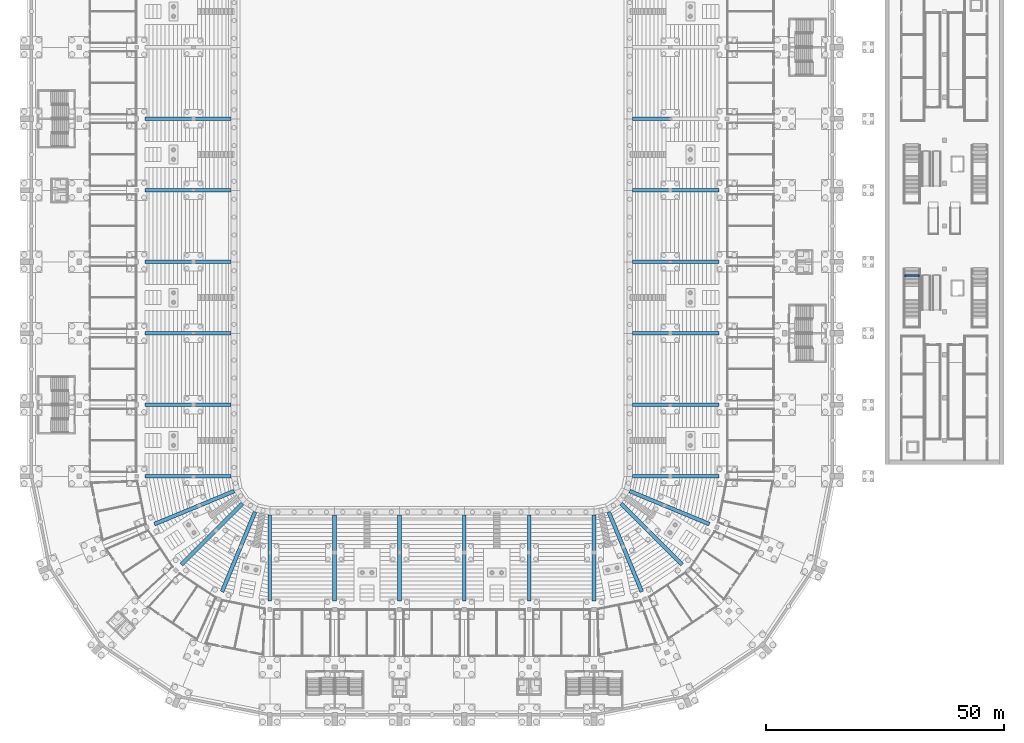
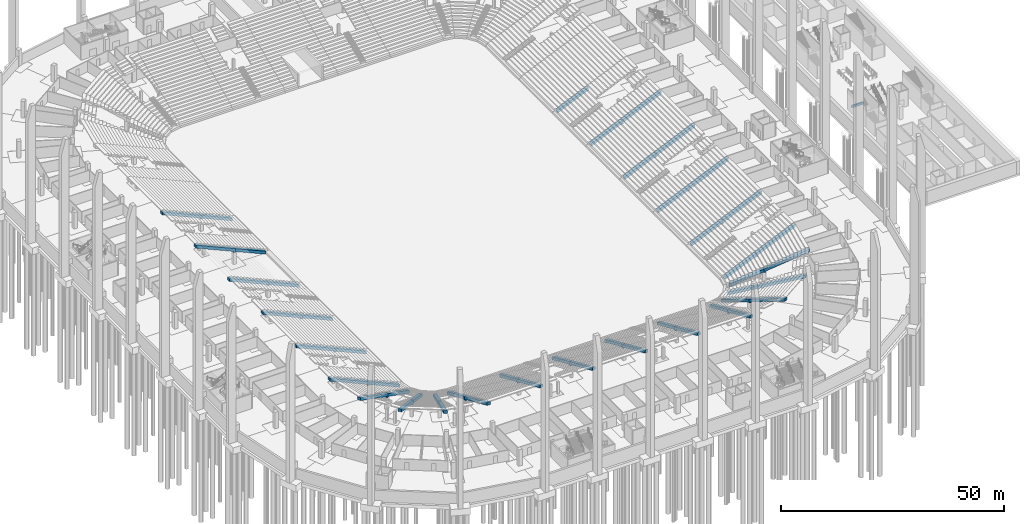
# One storey, part 14 of 115: 48 beams.
"""IFC4 building model written with IfcOpenShell, lengths in metres."""

from ifc_helpers import new_model, si_unit, direction, frame, origin, origin_2d, place, context, subcontext, project, spatial, polyline, rectangle, outline, extrude, material, material_profile, profile_set, type_object, element, save


model = new_model("IFC4")

# Units and contexts
model_context = context("Model", 3, precision=1e-05, world=origin(), true_north=direction((0.0, 1.0)))
body_context = subcontext(model_context, "Body", "Model", "MODEL_VIEW")
ifc_project = project(units=[si_unit("LENGTHUNIT", "METRE"), si_unit("AREAUNIT", "SQUARE_METRE"), si_unit("VOLUMEUNIT", "CUBIC_METRE"), si_unit("PLANEANGLEUNIT", "RADIAN"), si_unit("MASSUNIT", "GRAM", prefix="KILO")], contexts=[model_context])

# Site, building, storey
site_placement = place(None, origin())
site = spatial("IfcSite", under=ifc_project, at=site_placement, CompositionType="ELEMENT")
building_placement = place(site_placement, origin())
building = spatial("IfcBuilding", under=site, at=building_placement, Name="Ogive Plaza Stadium", CompositionType="ELEMENT")
storey_placement = place(building_placement, frame((0.0, 0.0, -4.5)))
storey = spatial("IfcBuildingStorey", under=building, at=storey_placement, Name="B1", CompositionType="ELEMENT", Elevation=-4.5)

# Beams
ifc_material_1 = material(Name="Concrete C45/55 precast", Category="concrete")
ifc_material_profile_1 = material_profile(ifc_material_1, rectangle(XDim=0.800048828125, YDim=0.800048828125, at=origin_2d()), Name="RC 800x800")
ifc_profile_set_1 = profile_set([ifc_material_profile_1], Name="Concrete C45/55 precast")
beam_type_1 = type_object("IfcBeamType", Name="Precast raker LT 800x800", PredefinedType="USERDEFINED", material=ifc_profile_set_1)
for number, where, z_axis, x_axis, name in (
    (1, (34.0, 22.5, 4.5), (0.0, 0.0, 1.0), (1.0, 0.0, 0.0), "RAKER LT R03"),
    (2, (34.0, 7.5, 4.5), (0.0, 0.0, 1.0), (1.0, 0.0, 0.0), "RAKER LT R04"),
):
    element("IfcBeam", number, at=place(storey_placement, frame(where, z_axis=z_axis, x_axis=x_axis)), inside=storey, type_object=beam_type_1, Name=name, ObjectType="RAKER", PredefinedType="USERDEFINED", context=body_context, shape_type="SweptSolid", body=[
        extrude(outline(polyline([(8.10009765625, -4.4853515625), (15.60009765625, -1.176513671875), (16.0, -1.176513671875), (16.0, -0.199951171875), (8.10009765625, -3.685302734375), (8.10009765625, -4.4853515625)])), frame((0.0, 0.39990234375, 0.0), z_axis=(0.0, -1.0, 0.0), x_axis=(1.0, 0.0, 0.0)), (0.0, 0.0, 1.0), 0.800048828125),
    ])
beam_1_placement = place(storey_placement, frame((34.0, 7.5, 4.5), z_axis=(0.0, 0.0, 1.0), x_axis=(1.0, 0.0, 0.0)))
element("IfcBeam", 3, at=beam_1_placement, inside=storey, type_object=beam_type_1, Name="RAKER LT BACK R04", ObjectType="RAKER", PredefinedType="USERDEFINED", context=body_context, shape_type="SweptSolid", body=[
    extrude(outline(polyline([(16.0, -1.176513671875), (16.39990234375, -1.176513671875), (16.39990234375, -0.823486328125), (26.199951171875, 3.5), (26.199951171875, 4.300048828125), (16.0, -0.199951171875), (16.0, -1.176513671875)])), frame((0.0, 0.39990234375, 0.0), z_axis=(0.0, -1.0, 0.0), x_axis=(1.0, 0.0, 0.0)), (0.0, 0.0, 1.0), 0.800048828125),
])
beam_2_placement = place(storey_placement, frame((34.0, -7.5, 4.5), z_axis=(0.0, 0.0, 1.0), x_axis=(1.0, 0.0, 0.0)))
element("IfcBeam", 4, at=beam_2_placement, inside=storey, type_object=beam_type_1, Name="RAKER LT R05", ObjectType="RAKER", PredefinedType="USERDEFINED", context=body_context, shape_type="SweptSolid", body=[
    extrude(outline(polyline([(8.10009765625, -4.4853515625), (15.60009765625, -1.176513671875), (16.0, -1.176513671875), (16.0, -0.199951171875), (8.10009765625, -3.685302734375), (8.10009765625, -4.4853515625)])), frame((0.0, 0.39990234375, 0.0), z_axis=(0.0, -1.0, 0.0), x_axis=(1.0, 0.0, 0.0)), (0.0, 0.0, 1.0), 0.800048828125),
])
beam_3_placement = place(storey_placement, frame((34.0, -7.5, 4.5), z_axis=(0.0, 0.0, 1.0), x_axis=(1.0, 0.0, 0.0)))
element("IfcBeam", 5, at=beam_3_placement, inside=storey, type_object=beam_type_1, Name="RAKER LT BACK R05", ObjectType="RAKER", PredefinedType="USERDEFINED", context=body_context, shape_type="SweptSolid", body=[
    extrude(outline(polyline([(16.0, -1.176513671875), (16.39990234375, -1.176513671875), (16.39990234375, -0.823486328125), (26.199951171875, 3.5), (26.199951171875, 4.300048828125), (16.0, -0.199951171875), (16.0, -1.176513671875)])), frame((0.0, 0.39990234375, 0.0), z_axis=(0.0, -1.0, 0.0), x_axis=(1.0, 0.0, 0.0)), (0.0, 0.0, 1.0), 0.800048828125),
])
beam_4_placement = place(storey_placement, frame((34.0, -22.5, 4.5), z_axis=(0.0, 0.0, 1.0), x_axis=(1.0, 0.0, 0.0)))
element("IfcBeam", 6, at=beam_4_placement, inside=storey, type_object=beam_type_1, Name="RAKER LT R06", ObjectType="RAKER", PredefinedType="USERDEFINED", context=body_context, shape_type="SweptSolid", body=[
    extrude(outline(polyline([(8.10009765625, -4.4853515625), (15.60009765625, -1.176513671875), (16.0, -1.176513671875), (16.0, -0.199951171875), (8.10009765625, -3.685302734375), (8.10009765625, -4.4853515625)])), frame((0.0, 0.39990234375, 0.0), z_axis=(0.0, -1.0, 0.0), x_axis=(1.0, 0.0, 0.0)), (0.0, 0.0, 1.0), 0.800048828125),
])
beam_5_placement = place(storey_placement, frame((34.0, -22.5, 4.5), z_axis=(0.0, 0.0, 1.0), x_axis=(1.0, 0.0, 0.0)))
element("IfcBeam", 7, at=beam_5_placement, inside=storey, type_object=beam_type_1, Name="RAKER LT BACK R06", ObjectType="RAKER", PredefinedType="USERDEFINED", context=body_context, shape_type="SweptSolid", body=[
    extrude(outline(polyline([(16.0, -1.176513671875), (16.39990234375, -1.176513671875), (16.39990234375, -0.823486328125), (26.199951171875, 3.5), (26.199951171875, 4.300048828125), (16.0, -0.199951171875), (16.0, -1.176513671875)])), frame((0.0, 0.39990234375, 0.0), z_axis=(0.0, -1.0, 0.0), x_axis=(1.0, 0.0, 0.0)), (0.0, 0.0, 1.0), 0.800048828125),
])
beam_6_placement = place(storey_placement, frame((34.0, -37.5, 4.5), z_axis=(0.0, 0.0, 1.0), x_axis=(1.0, 0.0, 0.0)))
element("IfcBeam", 8, at=beam_6_placement, inside=storey, type_object=beam_type_1, Name="RAKER LT R07", ObjectType="RAKER", PredefinedType="USERDEFINED", context=body_context, shape_type="SweptSolid", body=[
    extrude(outline(polyline([(8.10009765625, -4.4853515625), (15.60009765625, -1.176513671875), (16.0, -1.176513671875), (16.0, -0.199951171875), (8.10009765625, -3.685302734375), (8.10009765625, -4.4853515625)])), frame((0.0, 0.39990234375, 0.0), z_axis=(0.0, -1.0, 0.0), x_axis=(1.0, 0.0, 0.0)), (0.0, 0.0, 1.0), 0.800048828125),
])
beam_7_placement = place(storey_placement, frame((34.0, -37.5, 4.5), z_axis=(0.0, 0.0, 1.0), x_axis=(1.0, 0.0, 0.0)))
element("IfcBeam", 9, at=beam_7_placement, inside=storey, type_object=beam_type_1, Name="RAKER LT BACK R07", ObjectType="RAKER", PredefinedType="USERDEFINED", context=body_context, shape_type="SweptSolid", body=[
    extrude(outline(polyline([(16.0, -1.176513671875), (16.39990234375, -1.176513671875), (16.39990234375, -0.823486328125), (26.199951171875, 3.5), (26.199951171875, 4.300048828125), (16.0, -0.199951171875), (16.0, -1.176513671875)])), frame((0.0, 0.39990234375, 0.0), z_axis=(0.0, -1.0, 0.0), x_axis=(1.0, 0.0, 0.0)), (0.0, 0.0, 1.0), 0.800048828125),
])
beam_8_placement = place(storey_placement, frame((34.0, -52.5, 4.5), z_axis=(0.0, 0.0, 1.0), x_axis=(1.0, 0.0, 0.0)))
element("IfcBeam", 10, at=beam_8_placement, inside=storey, type_object=beam_type_1, Name="RAKER LT R08", ObjectType="RAKER", PredefinedType="USERDEFINED", context=body_context, shape_type="SweptSolid", body=[
    extrude(outline(polyline([(8.10009765625, -4.4853515625), (15.60009765625, -1.176513671875), (16.0, -1.176513671875), (16.0, -0.199951171875), (8.10009765625, -3.685302734375), (8.10009765625, -4.4853515625)])), frame((0.0, 0.39990234375, 0.0), z_axis=(0.0, -1.0, 0.0), x_axis=(1.0, 0.0, 0.0)), (0.0, 0.0, 1.0), 0.800048828125),
])
beam_9_placement = place(storey_placement, frame((34.0, -52.5, 4.5), z_axis=(0.0, 0.0, 1.0), x_axis=(1.0, 0.0, 0.0)))
element("IfcBeam", 11, at=beam_9_placement, inside=storey, type_object=beam_type_1, Name="RAKER LT BACK R08", ObjectType="RAKER", PredefinedType="USERDEFINED", context=body_context, shape_type="SweptSolid", body=[
    extrude(outline(polyline([(16.0, -1.176513671875), (16.39990234375, -1.176513671875), (16.39990234375, -0.823486328125), (26.199951171875, 3.5), (26.199951171875, 4.300048828125), (16.0, -0.199951171875), (16.0, -1.176513671875)])), frame((0.0, 0.39990234375, 0.0), z_axis=(0.0, -1.0, 0.0), x_axis=(1.0, 0.0, 0.0)), (0.0, 0.0, 1.0), 0.800048828125),
])
beam_10_placement = place(storey_placement, frame((34.0, -52.5, 4.5), z_axis=(0.0, 0.0, 1.0), x_axis=(0.923879532511, -0.382683432365, 0.0)))
element("IfcBeam", 12, at=beam_10_placement, inside=storey, type_object=beam_type_1, Name="RAKER LT R09", ObjectType="RAKER", PredefinedType="USERDEFINED", context=body_context, shape_type="SweptSolid", body=[
    extrude(outline(polyline([(8.10009765625, -4.4853515625), (15.60009765625, -1.176513671875), (16.0, -1.176513671875), (16.0, -0.199951171875), (8.10009765625, -3.685302734375), (8.10009765625, -4.4853515625)])), frame((0.0, 0.39990234375, 0.0), z_axis=(0.0, -1.0, 0.0), x_axis=(1.0, 0.0, 0.0)), (0.0, 0.0, 1.0), 0.800048828125),
])
beam_11_placement = place(storey_placement, frame((34.0, -52.5, 4.5), z_axis=(0.0, 0.0, 1.0), x_axis=(0.923879532511, -0.382683432365, 0.0)))
element("IfcBeam", 13, at=beam_11_placement, inside=storey, type_object=beam_type_1, Name="RAKER LT BACK R09", ObjectType="RAKER", PredefinedType="USERDEFINED", context=body_context, shape_type="SweptSolid", body=[
    extrude(outline(polyline([(16.0, -1.176513671875), (16.39990234375, -1.176513671875), (16.39990234375, -0.823486328125), (26.199951171875, 3.5), (26.199951171875, 4.300048828125), (16.0, -0.199951171875), (16.0, -1.176513671875)])), frame((0.0, 0.39990234375, 0.0), z_axis=(0.0, -1.0, 0.0), x_axis=(1.0, 0.0, 0.0)), (0.0, 0.0, 1.0), 0.800048828125),
])
beam_12_placement = place(storey_placement, frame((34.0, -52.5, 4.5), z_axis=(0.0, 0.0, 1.0), x_axis=(0.707106781187, -0.707106781187, 0.0)))
element("IfcBeam", 14, at=beam_12_placement, inside=storey, type_object=beam_type_1, Name="RAKER LT R10", ObjectType="RAKER", PredefinedType="USERDEFINED", context=body_context, shape_type="SweptSolid", body=[
    extrude(outline(polyline([(8.10009765625, -4.4853515625), (15.60009765625, -1.176513671875), (16.0, -1.176513671875), (16.0, -0.199951171875), (8.10009765625, -3.685302734375), (8.10009765625, -4.4853515625)])), frame((0.0, 0.39990234375, 0.0), z_axis=(0.0, -1.0, 0.0), x_axis=(1.0, 0.0, 0.0)), (0.0, 0.0, 1.0), 0.800048828125),
])
beam_13_placement = place(storey_placement, frame((34.0, -52.5, 4.5), z_axis=(0.0, 0.0, 1.0), x_axis=(0.707106781187, -0.707106781187, 0.0)))
element("IfcBeam", 15, at=beam_13_placement, inside=storey, type_object=beam_type_1, Name="RAKER LT BACK R10", ObjectType="RAKER", PredefinedType="USERDEFINED", context=body_context, shape_type="SweptSolid", body=[
    extrude(outline(polyline([(16.0, -1.176513671875), (16.39990234375, -1.176513671875), (16.39990234375, -0.823486328125), (26.199951171875, 3.5), (26.199951171875, 4.300048828125), (16.0, -0.199951171875), (16.0, -1.176513671875)])), frame((0.0, 0.39990234375, 0.0), z_axis=(0.0, -1.0, 0.0), x_axis=(1.0, 0.0, 0.0)), (0.0, 0.0, 1.0), 0.800048828125),
])
beam_14_placement = place(storey_placement, frame((34.0, -52.5, 4.5), z_axis=(0.0, 0.0, 1.0), x_axis=(0.382683432365, -0.923879532511, 0.0)))
element("IfcBeam", 16, at=beam_14_placement, inside=storey, type_object=beam_type_1, Name="RAKER LT R11", ObjectType="RAKER", PredefinedType="USERDEFINED", context=body_context, shape_type="SweptSolid", body=[
    extrude(outline(polyline([(8.10009765625, -4.4853515625), (15.60009765625, -1.176513671875), (16.0, -1.176513671875), (16.0, -0.199951171875), (8.10009765625, -3.685302734375), (8.10009765625, -4.4853515625)])), frame((0.0, 0.39990234375, 0.0), z_axis=(0.0, -1.0, 0.0), x_axis=(1.0, 0.0, 0.0)), (0.0, 0.0, 1.0), 0.800048828125),
])
beam_15_placement = place(storey_placement, frame((34.0, -52.5, 4.5), z_axis=(0.0, 0.0, 1.0), x_axis=(0.382683432365, -0.923879532511, 0.0)))
element("IfcBeam", 17, at=beam_15_placement, inside=storey, type_object=beam_type_1, Name="RAKER LT BACK R11", ObjectType="RAKER", PredefinedType="USERDEFINED", context=body_context, shape_type="SweptSolid", body=[
    extrude(outline(polyline([(16.0, -1.176513671875), (16.39990234375, -1.176513671875), (16.39990234375, -0.823486328125), (26.199951171875, 3.5), (26.199951171875, 4.300048828125), (16.0, -0.199951171875), (16.0, -1.176513671875)])), frame((0.0, 0.39990234375, 0.0), z_axis=(0.0, -1.0, 0.0), x_axis=(1.0, 0.0, 0.0)), (0.0, 0.0, 1.0), 0.800048828125),
])
beam_16_placement = place(storey_placement, frame((34.0, -52.5, 4.5), z_axis=(0.0, 0.0, 1.0), x_axis=(0.0, -1.0, 0.0)))
element("IfcBeam", 18, at=beam_16_placement, inside=storey, type_object=beam_type_1, Name="RAKER LT R12", ObjectType="RAKER", PredefinedType="USERDEFINED", context=body_context, shape_type="SweptSolid", body=[
    extrude(outline(polyline([(8.10009765625, -4.4853515625), (15.60009765625, -1.176513671875), (16.0, -1.176513671875), (16.0, -0.199951171875), (8.10009765625, -3.685302734375), (8.10009765625, -4.4853515625)])), frame((0.0, 0.39990234375, 0.0), z_axis=(0.0, -1.0, 0.0), x_axis=(1.0, 0.0, 0.0)), (0.0, 0.0, 1.0), 0.800048828125),
])
beam_17_placement = place(storey_placement, frame((34.0, -52.5, 4.5), z_axis=(0.0, 0.0, 1.0), x_axis=(0.0, -1.0, 0.0)))
element("IfcBeam", 19, at=beam_17_placement, inside=storey, type_object=beam_type_1, Name="RAKER LT BACK R12", ObjectType="RAKER", PredefinedType="USERDEFINED", context=body_context, shape_type="SweptSolid", body=[
    extrude(outline(polyline([(16.0, -1.176513671875), (16.39990234375, -1.176513671875), (16.39990234375, -0.823486328125), (26.199951171875, 3.5), (26.199951171875, 4.300048828125), (16.0, -0.199951171875), (16.0, -1.176513671875)])), frame((0.0, 0.39990234375, 0.0), z_axis=(0.0, -1.0, 0.0), x_axis=(1.0, 0.0, 0.0)), (0.0, 0.0, 1.0), 0.800048828125),
])
beam_18_placement = place(storey_placement, frame((20.39990234375, -52.5, 4.5), z_axis=(0.0, 0.0, 1.0), x_axis=(0.0, -1.0, 0.0)))
element("IfcBeam", 20, at=beam_18_placement, inside=storey, type_object=beam_type_1, Name="RAKER LT R13", ObjectType="RAKER", PredefinedType="USERDEFINED", context=body_context, shape_type="SweptSolid", body=[
    extrude(outline(polyline([(8.10009765625, -4.4853515625), (15.60009765625, -1.176513671875), (16.0, -1.176513671875), (16.0, -0.199951171875), (8.10009765625, -3.685302734375), (8.10009765625, -4.4853515625)])), frame((0.0, 0.39990234375, 0.0), z_axis=(0.0, -1.0, 0.0), x_axis=(1.0, 0.0, 0.0)), (0.0, 0.0, 1.0), 0.800048828125),
])
beam_19_placement = place(storey_placement, frame((20.39990234375, -52.5, 4.5), z_axis=(0.0, 0.0, 1.0), x_axis=(0.0, -1.0, 0.0)))
element("IfcBeam", 21, at=beam_19_placement, inside=storey, type_object=beam_type_1, Name="RAKER LT BACK R13", ObjectType="RAKER", PredefinedType="USERDEFINED", context=body_context, shape_type="SweptSolid", body=[
    extrude(outline(polyline([(16.0, -1.176513671875), (16.39990234375, -1.176513671875), (16.39990234375, -0.823486328125), (26.199951171875, 3.5), (26.199951171875, 4.300048828125), (16.0, -0.199951171875), (16.0, -1.176513671875)])), frame((0.0, 0.39990234375, 0.0), z_axis=(0.0, -1.0, 0.0), x_axis=(1.0, 0.0, 0.0)), (0.0, 0.0, 1.0), 0.800048828125),
])
beam_20_placement = place(storey_placement, frame((6.800048828125, -52.5, 4.5), z_axis=(0.0, 0.0, 1.0), x_axis=(0.0, -1.0, 0.0)))
element("IfcBeam", 22, at=beam_20_placement, inside=storey, type_object=beam_type_1, Name="RAKER LT R14", ObjectType="RAKER", PredefinedType="USERDEFINED", context=body_context, shape_type="SweptSolid", body=[
    extrude(outline(polyline([(8.10009765625, -4.4853515625), (15.60009765625, -1.176513671875), (16.0, -1.176513671875), (16.0, -0.199951171875), (8.10009765625, -3.685302734375), (8.10009765625, -4.4853515625)])), frame((0.0, 0.39990234375, 0.0), z_axis=(0.0, -1.0, 0.0), x_axis=(1.0, 0.0, 0.0)), (0.0, 0.0, 1.0), 0.800048828125),
])
beam_21_placement = place(storey_placement, frame((6.800048828125, -52.5, 4.5), z_axis=(0.0, 0.0, 1.0), x_axis=(0.0, -1.0, 0.0)))
element("IfcBeam", 23, at=beam_21_placement, inside=storey, type_object=beam_type_1, Name="RAKER LT BACK R14", ObjectType="RAKER", PredefinedType="USERDEFINED", context=body_context, shape_type="SweptSolid", body=[
    extrude(outline(polyline([(16.0, -1.176513671875), (16.39990234375, -1.176513671875), (16.39990234375, -0.823486328125), (26.199951171875, 3.5), (26.199951171875, 4.300048828125), (16.0, -0.199951171875), (16.0, -1.176513671875)])), frame((0.0, 0.39990234375, 0.0), z_axis=(0.0, -1.0, 0.0), x_axis=(1.0, 0.0, 0.0)), (0.0, 0.0, 1.0), 0.800048828125),
])
beam_22_placement = place(storey_placement, frame((-6.800048828125, -52.5, 4.5), z_axis=(0.0, 0.0, 1.0), x_axis=(0.0, -1.0, 0.0)))
element("IfcBeam", 24, at=beam_22_placement, inside=storey, type_object=beam_type_1, Name="RAKER LT R15", ObjectType="RAKER", PredefinedType="USERDEFINED", context=body_context, shape_type="SweptSolid", body=[
    extrude(outline(polyline([(8.10009765625, -4.4853515625), (15.60009765625, -1.176513671875), (16.0, -1.176513671875), (16.0, -0.199951171875), (8.10009765625, -3.685302734375), (8.10009765625, -4.4853515625)])), frame((0.0, 0.39990234375, 0.0), z_axis=(0.0, -1.0, 0.0), x_axis=(1.0, 0.0, 0.0)), (0.0, 0.0, 1.0), 0.800048828125),
])
beam_23_placement = place(storey_placement, frame((-6.800048828125, -52.5, 4.5), z_axis=(0.0, 0.0, 1.0), x_axis=(0.0, -1.0, 0.0)))
element("IfcBeam", 25, at=beam_23_placement, inside=storey, type_object=beam_type_1, Name="RAKER LT BACK R15", ObjectType="RAKER", PredefinedType="USERDEFINED", context=body_context, shape_type="SweptSolid", body=[
    extrude(outline(polyline([(16.0, -1.176513671875), (16.39990234375, -1.176513671875), (16.39990234375, -0.823486328125), (26.199951171875, 3.5), (26.199951171875, 4.300048828125), (16.0, -0.199951171875), (16.0, -1.176513671875)])), frame((0.0, 0.39990234375, 0.0), z_axis=(0.0, -1.0, 0.0), x_axis=(1.0, 0.0, 0.0)), (0.0, 0.0, 1.0), 0.800048828125),
])
beam_24_placement = place(storey_placement, frame((-20.39990234375, -52.5, 4.5), z_axis=(0.0, 0.0, 1.0), x_axis=(0.0, -1.0, 0.0)))
element("IfcBeam", 26, at=beam_24_placement, inside=storey, type_object=beam_type_1, Name="RAKER LT R16", ObjectType="RAKER", PredefinedType="USERDEFINED", context=body_context, shape_type="SweptSolid", body=[
    extrude(outline(polyline([(8.10009765625, -4.4853515625), (15.60009765625, -1.176513671875), (16.0, -1.176513671875), (16.0, -0.199951171875), (8.10009765625, -3.685302734375), (8.10009765625, -4.4853515625)])), frame((0.0, 0.39990234375, 0.0), z_axis=(0.0, -1.0, 0.0), x_axis=(1.0, 0.0, 0.0)), (0.0, 0.0, 1.0), 0.800048828125),
])
beam_25_placement = place(storey_placement, frame((-20.39990234375, -52.5, 4.5), z_axis=(0.0, 0.0, 1.0), x_axis=(0.0, -1.0, 0.0)))
element("IfcBeam", 27, at=beam_25_placement, inside=storey, type_object=beam_type_1, Name="RAKER LT BACK R16", ObjectType="RAKER", PredefinedType="USERDEFINED", context=body_context, shape_type="SweptSolid", body=[
    extrude(outline(polyline([(16.0, -1.176513671875), (16.39990234375, -1.176513671875), (16.39990234375, -0.823486328125), (26.199951171875, 3.5), (26.199951171875, 4.300048828125), (16.0, -0.199951171875), (16.0, -1.176513671875)])), frame((0.0, 0.39990234375, 0.0), z_axis=(0.0, -1.0, 0.0), x_axis=(1.0, 0.0, 0.0)), (0.0, 0.0, 1.0), 0.800048828125),
])
beam_26_placement = place(storey_placement, frame((-34.0, -52.5, 4.5), z_axis=(0.0, 0.0, 1.0), x_axis=(0.0, -1.0, 0.0)))
element("IfcBeam", 28, at=beam_26_placement, inside=storey, type_object=beam_type_1, Name="RAKER LT R17", ObjectType="RAKER", PredefinedType="USERDEFINED", context=body_context, shape_type="SweptSolid", body=[
    extrude(outline(polyline([(8.10009765625, -4.4853515625), (15.60009765625, -1.176513671875), (16.0, -1.176513671875), (16.0, -0.199951171875), (8.10009765625, -3.685302734375), (8.10009765625, -4.4853515625)])), frame((0.0, 0.39990234375, 0.0), z_axis=(0.0, -1.0, 0.0), x_axis=(1.0, 0.0, 0.0)), (0.0, 0.0, 1.0), 0.800048828125),
])
beam_27_placement = place(storey_placement, frame((-34.0, -52.5, 4.5), z_axis=(0.0, 0.0, 1.0), x_axis=(0.0, -1.0, 0.0)))
element("IfcBeam", 29, at=beam_27_placement, inside=storey, type_object=beam_type_1, Name="RAKER LT BACK R17", ObjectType="RAKER", PredefinedType="USERDEFINED", context=body_context, shape_type="SweptSolid", body=[
    extrude(outline(polyline([(16.0, -1.176513671875), (16.39990234375, -1.176513671875), (16.39990234375, -0.823486328125), (26.199951171875, 3.5), (26.199951171875, 4.300048828125), (16.0, -0.199951171875), (16.0, -1.176513671875)])), frame((0.0, 0.39990234375, 0.0), z_axis=(0.0, -1.0, 0.0), x_axis=(1.0, 0.0, 0.0)), (0.0, 0.0, 1.0), 0.800048828125),
])
beam_28_placement = place(storey_placement, frame((-34.0, -52.5, 4.5), z_axis=(0.0, 0.0, 1.0), x_axis=(-0.382683432365, -0.923879532511, 0.0)))
element("IfcBeam", 30, at=beam_28_placement, inside=storey, type_object=beam_type_1, Name="RAKER LT R18", ObjectType="RAKER", PredefinedType="USERDEFINED", context=body_context, shape_type="SweptSolid", body=[
    extrude(outline(polyline([(8.10009765625, -4.4853515625), (15.60009765625, -1.176513671875), (16.0, -1.176513671875), (16.0, -0.199951171875), (8.10009765625, -3.685302734375), (8.10009765625, -4.4853515625)])), frame((0.0, 0.39990234375, 0.0), z_axis=(0.0, -1.0, 0.0), x_axis=(1.0, 0.0, 0.0)), (0.0, 0.0, 1.0), 0.800048828125),
])
beam_29_placement = place(storey_placement, frame((-34.0, -52.5, 4.5), z_axis=(0.0, 0.0, 1.0), x_axis=(-0.382683432365, -0.923879532511, 0.0)))
element("IfcBeam", 31, at=beam_29_placement, inside=storey, type_object=beam_type_1, Name="RAKER LT BACK R18", ObjectType="RAKER", PredefinedType="USERDEFINED", context=body_context, shape_type="SweptSolid", body=[
    extrude(outline(polyline([(16.0, -1.176513671875), (16.39990234375, -1.176513671875), (16.39990234375, -0.823486328125), (26.199951171875, 3.5), (26.199951171875, 4.300048828125), (16.0, -0.199951171875), (16.0, -1.176513671875)])), frame((0.0, 0.39990234375, 0.0), z_axis=(0.0, -1.0, 0.0), x_axis=(1.0, 0.0, 0.0)), (0.0, 0.0, 1.0), 0.800048828125),
])
beam_30_placement = place(storey_placement, frame((-34.0, -52.5, 4.5), z_axis=(0.0, 0.0, 1.0), x_axis=(-0.707106781187, -0.707106781187, 0.0)))
element("IfcBeam", 32, at=beam_30_placement, inside=storey, type_object=beam_type_1, Name="RAKER LT R19", ObjectType="RAKER", PredefinedType="USERDEFINED", context=body_context, shape_type="SweptSolid", body=[
    extrude(outline(polyline([(8.10009765625, -4.4853515625), (15.60009765625, -1.176513671875), (16.0, -1.176513671875), (16.0, -0.199951171875), (8.10009765625, -3.685302734375), (8.10009765625, -4.4853515625)])), frame((0.0, 0.39990234375, 0.0), z_axis=(0.0, -1.0, 0.0), x_axis=(1.0, 0.0, 0.0)), (0.0, 0.0, 1.0), 0.800048828125),
])
beam_31_placement = place(storey_placement, frame((-34.0, -52.5, 4.5), z_axis=(0.0, 0.0, 1.0), x_axis=(-0.707106781187, -0.707106781187, 0.0)))
element("IfcBeam", 33, at=beam_31_placement, inside=storey, type_object=beam_type_1, Name="RAKER LT BACK R19", ObjectType="RAKER", PredefinedType="USERDEFINED", context=body_context, shape_type="SweptSolid", body=[
    extrude(outline(polyline([(16.0, -1.176513671875), (16.39990234375, -1.176513671875), (16.39990234375, -0.823486328125), (26.199951171875, 3.5), (26.199951171875, 4.300048828125), (16.0, -0.199951171875), (16.0, -1.176513671875)])), frame((0.0, 0.39990234375, 0.0), z_axis=(0.0, -1.0, 0.0), x_axis=(1.0, 0.0, 0.0)), (0.0, 0.0, 1.0), 0.800048828125),
])
beam_32_placement = place(storey_placement, frame((-34.0, -52.5, 4.5), z_axis=(0.0, 0.0, 1.0), x_axis=(-0.923879532511, -0.382683432365, 0.0)))
element("IfcBeam", 34, at=beam_32_placement, inside=storey, type_object=beam_type_1, Name="RAKER LT R20", ObjectType="RAKER", PredefinedType="USERDEFINED", context=body_context, shape_type="SweptSolid", body=[
    extrude(outline(polyline([(8.10009765625, -4.4853515625), (15.60009765625, -1.176513671875), (16.0, -1.176513671875), (16.0, -0.199951171875), (8.10009765625, -3.685302734375), (8.10009765625, -4.4853515625)])), frame((0.0, 0.39990234375, 0.0), z_axis=(0.0, -1.0, 0.0), x_axis=(1.0, 0.0, 0.0)), (0.0, 0.0, 1.0), 0.800048828125),
])
beam_33_placement = place(storey_placement, frame((-34.0, -52.5, 4.5), z_axis=(0.0, 0.0, 1.0), x_axis=(-0.923879532511, -0.382683432365, 0.0)))
element("IfcBeam", 35, at=beam_33_placement, inside=storey, type_object=beam_type_1, Name="RAKER LT BACK R20", ObjectType="RAKER", PredefinedType="USERDEFINED", context=body_context, shape_type="SweptSolid", body=[
    extrude(outline(polyline([(16.0, -1.176513671875), (16.39990234375, -1.176513671875), (16.39990234375, -0.823486328125), (26.199951171875, 3.5), (26.199951171875, 4.300048828125), (16.0, -0.199951171875), (16.0, -1.176513671875)])), frame((0.0, 0.39990234375, 0.0), z_axis=(0.0, -1.0, 0.0), x_axis=(1.0, 0.0, 0.0)), (0.0, 0.0, 1.0), 0.800048828125),
])
beam_34_placement = place(storey_placement, frame((-34.0, -52.5, 4.5), z_axis=(0.0, 0.0, 1.0), x_axis=(-1.0, 0.0, 0.0)))
element("IfcBeam", 36, at=beam_34_placement, inside=storey, type_object=beam_type_1, Name="RAKER LT R21", ObjectType="RAKER", PredefinedType="USERDEFINED", context=body_context, shape_type="SweptSolid", body=[
    extrude(outline(polyline([(8.10009765625, -4.4853515625), (15.60009765625, -1.176513671875), (16.0, -1.176513671875), (16.0, -0.199951171875), (8.10009765625, -3.685302734375), (8.10009765625, -4.4853515625)])), frame((0.0, 0.39990234375, 0.0), z_axis=(0.0, -1.0, 0.0), x_axis=(1.0, 0.0, 0.0)), (0.0, 0.0, 1.0), 0.800048828125),
])
beam_35_placement = place(storey_placement, frame((-34.0, -52.5, 4.5), z_axis=(0.0, 0.0, 1.0), x_axis=(-1.0, 0.0, 0.0)))
element("IfcBeam", 37, at=beam_35_placement, inside=storey, type_object=beam_type_1, Name="RAKER LT BACK R21", ObjectType="RAKER", PredefinedType="USERDEFINED", context=body_context, shape_type="SweptSolid", body=[
    extrude(outline(polyline([(16.0, -1.176513671875), (16.39990234375, -1.176513671875), (16.39990234375, -0.823486328125), (26.199951171875, 3.5), (26.199951171875, 4.300048828125), (16.0, -0.199951171875), (16.0, -1.176513671875)])), frame((0.0, 0.39990234375, 0.0), z_axis=(0.0, -1.0, 0.0), x_axis=(1.0, 0.0, 0.0)), (0.0, 0.0, 1.0), 0.800048828125),
])
beam_36_placement = place(storey_placement, frame((-34.0, -37.5, 4.5), z_axis=(0.0, 0.0, 1.0), x_axis=(-1.0, 0.0, 0.0)))
element("IfcBeam", 38, at=beam_36_placement, inside=storey, type_object=beam_type_1, Name="RAKER LT R22", ObjectType="RAKER", PredefinedType="USERDEFINED", context=body_context, shape_type="SweptSolid", body=[
    extrude(outline(polyline([(8.10009765625, -4.4853515625), (15.60009765625, -1.176513671875), (16.0, -1.176513671875), (16.0, -0.199951171875), (8.10009765625, -3.685302734375), (8.10009765625, -4.4853515625)])), frame((0.0, 0.39990234375, 0.0), z_axis=(0.0, -1.0, 0.0), x_axis=(1.0, 0.0, 0.0)), (0.0, 0.0, 1.0), 0.800048828125),
])
beam_37_placement = place(storey_placement, frame((-34.0, -37.5, 4.5), z_axis=(0.0, 0.0, 1.0), x_axis=(-1.0, 0.0, 0.0)))
element("IfcBeam", 39, at=beam_37_placement, inside=storey, type_object=beam_type_1, Name="RAKER LT BACK R22", ObjectType="RAKER", PredefinedType="USERDEFINED", context=body_context, shape_type="SweptSolid", body=[
    extrude(outline(polyline([(16.0, -1.176513671875), (16.39990234375, -1.176513671875), (16.39990234375, -0.823486328125), (26.199951171875, 3.5), (26.199951171875, 4.300048828125), (16.0, -0.199951171875), (16.0, -1.176513671875)])), frame((0.0, 0.39990234375, 0.0), z_axis=(0.0, -1.0, 0.0), x_axis=(1.0, 0.0, 0.0)), (0.0, 0.0, 1.0), 0.800048828125),
])
beam_38_placement = place(storey_placement, frame((-34.0, -22.5, 4.5), z_axis=(0.0, 0.0, 1.0), x_axis=(-1.0, 0.0, 0.0)))
element("IfcBeam", 40, at=beam_38_placement, inside=storey, type_object=beam_type_1, Name="RAKER LT R23", ObjectType="RAKER", PredefinedType="USERDEFINED", context=body_context, shape_type="SweptSolid", body=[
    extrude(outline(polyline([(8.10009765625, -4.4853515625), (15.60009765625, -1.176513671875), (16.0, -1.176513671875), (16.0, -0.199951171875), (8.10009765625, -3.685302734375), (8.10009765625, -4.4853515625)])), frame((0.0, 0.39990234375, 0.0), z_axis=(0.0, -1.0, 0.0), x_axis=(1.0, 0.0, 0.0)), (0.0, 0.0, 1.0), 0.800048828125),
])
beam_39_placement = place(storey_placement, frame((-34.0, -22.5, 4.5), z_axis=(0.0, 0.0, 1.0), x_axis=(-1.0, 0.0, 0.0)))
element("IfcBeam", 41, at=beam_39_placement, inside=storey, type_object=beam_type_1, Name="RAKER LT BACK R23", ObjectType="RAKER", PredefinedType="USERDEFINED", context=body_context, shape_type="SweptSolid", body=[
    extrude(outline(polyline([(16.0, -1.176513671875), (16.39990234375, -1.176513671875), (16.39990234375, -0.823486328125), (26.199951171875, 3.5), (26.199951171875, 4.300048828125), (16.0, -0.199951171875), (16.0, -1.176513671875)])), frame((0.0, 0.39990234375, 0.0), z_axis=(0.0, -1.0, 0.0), x_axis=(1.0, 0.0, 0.0)), (0.0, 0.0, 1.0), 0.800048828125),
])
beam_40_placement = place(storey_placement, frame((-34.0, -7.5, 4.5), z_axis=(0.0, 0.0, 1.0), x_axis=(-1.0, 0.0, 0.0)))
element("IfcBeam", 42, at=beam_40_placement, inside=storey, type_object=beam_type_1, Name="RAKER LT R24", ObjectType="RAKER", PredefinedType="USERDEFINED", context=body_context, shape_type="SweptSolid", body=[
    extrude(outline(polyline([(8.10009765625, -4.4853515625), (15.60009765625, -1.176513671875), (16.0, -1.176513671875), (16.0, -0.199951171875), (8.10009765625, -3.685302734375), (8.10009765625, -4.4853515625)])), frame((0.0, 0.39990234375, 0.0), z_axis=(0.0, -1.0, 0.0), x_axis=(1.0, 0.0, 0.0)), (0.0, 0.0, 1.0), 0.800048828125),
])
beam_41_placement = place(storey_placement, frame((-34.0, -7.5, 4.5), z_axis=(0.0, 0.0, 1.0), x_axis=(-1.0, 0.0, 0.0)))
element("IfcBeam", 43, at=beam_41_placement, inside=storey, type_object=beam_type_1, Name="RAKER LT BACK R24", ObjectType="RAKER", PredefinedType="USERDEFINED", context=body_context, shape_type="SweptSolid", body=[
    extrude(outline(polyline([(16.0, -1.176513671875), (16.39990234375, -1.176513671875), (16.39990234375, -0.823486328125), (26.199951171875, 3.5), (26.199951171875, 4.300048828125), (16.0, -0.199951171875), (16.0, -1.176513671875)])), frame((0.0, 0.39990234375, 0.0), z_axis=(0.0, -1.0, 0.0), x_axis=(1.0, 0.0, 0.0)), (0.0, 0.0, 1.0), 0.800048828125),
])
beam_42_placement = place(storey_placement, frame((-34.0, 7.5, 4.5), z_axis=(0.0, 0.0, 1.0), x_axis=(-1.0, 0.0, 0.0)))
element("IfcBeam", 44, at=beam_42_placement, inside=storey, type_object=beam_type_1, Name="RAKER LT R25", ObjectType="RAKER", PredefinedType="USERDEFINED", context=body_context, shape_type="SweptSolid", body=[
    extrude(outline(polyline([(8.10009765625, -4.4853515625), (15.60009765625, -1.176513671875), (16.0, -1.176513671875), (16.0, -0.199951171875), (8.10009765625, -3.685302734375), (8.10009765625, -4.4853515625)])), frame((0.0, 0.39990234375, 0.0), z_axis=(0.0, -1.0, 0.0), x_axis=(1.0, 0.0, 0.0)), (0.0, 0.0, 1.0), 0.800048828125),
])
beam_43_placement = place(storey_placement, frame((-34.0, 7.5, 4.5), z_axis=(0.0, 0.0, 1.0), x_axis=(-1.0, 0.0, 0.0)))
element("IfcBeam", 45, at=beam_43_placement, inside=storey, type_object=beam_type_1, Name="RAKER LT BACK R25", ObjectType="RAKER", PredefinedType="USERDEFINED", context=body_context, shape_type="SweptSolid", body=[
    extrude(outline(polyline([(16.0, -1.176513671875), (16.39990234375, -1.176513671875), (16.39990234375, -0.823486328125), (26.199951171875, 3.5), (26.199951171875, 4.300048828125), (16.0, -0.199951171875), (16.0, -1.176513671875)])), frame((0.0, 0.39990234375, 0.0), z_axis=(0.0, -1.0, 0.0), x_axis=(1.0, 0.0, 0.0)), (0.0, 0.0, 1.0), 0.800048828125),
])
beam_44_placement = place(storey_placement, frame((-34.0, 22.5, 4.5), z_axis=(0.0, 0.0, 1.0), x_axis=(-1.0, 0.0, 0.0)))
element("IfcBeam", 46, at=beam_44_placement, inside=storey, type_object=beam_type_1, Name="RAKER LT R26", ObjectType="RAKER", PredefinedType="USERDEFINED", context=body_context, shape_type="SweptSolid", body=[
    extrude(outline(polyline([(8.10009765625, -4.4853515625), (15.60009765625, -1.176513671875), (16.0, -1.176513671875), (16.0, -0.199951171875), (8.10009765625, -3.685302734375), (8.10009765625, -4.4853515625)])), frame((0.0, 0.39990234375, 0.0), z_axis=(0.0, -1.0, 0.0), x_axis=(1.0, 0.0, 0.0)), (0.0, 0.0, 1.0), 0.800048828125),
])
beam_45_placement = place(storey_placement, frame((-34.0, 22.5, 4.5), z_axis=(0.0, 0.0, 1.0), x_axis=(-1.0, 0.0, 0.0)))
element("IfcBeam", 47, at=beam_45_placement, inside=storey, type_object=beam_type_1, Name="RAKER LT BACK R26", ObjectType="RAKER", PredefinedType="USERDEFINED", context=body_context, shape_type="SweptSolid", body=[
    extrude(outline(polyline([(16.0, -1.176513671875), (16.39990234375, -1.176513671875), (16.39990234375, -0.823486328125), (26.199951171875, 3.5), (26.199951171875, 4.300048828125), (16.0, -0.199951171875), (16.0, -1.176513671875)])), frame((0.0, 0.39990234375, 0.0), z_axis=(0.0, -1.0, 0.0), x_axis=(1.0, 0.0, 0.0)), (0.0, 0.0, 1.0), 0.800048828125),
])
ifc_material_2 = material(Name="Concrete C40/50", Category="concrete")
ifc_material_profile_2 = material_profile(ifc_material_2, rectangle(XDim=0.39990234375, YDim=0.60009765625, at=origin_2d()), Name="Stair landing beam RC 400x600")
ifc_profile_set_2 = profile_set([ifc_material_profile_2], Name="Concrete C40/50")
beam_type_2 = type_object("IfcBeamType", Name="Stair landing beam RC 400x600", PredefinedType="BEAM", material=ifc_profile_set_2)
beam_46_placement = place(storey_placement, frame((99.199951171875, -10.43994140625, 1.550048828125), z_axis=(1.0, 0.0, 0.0), x_axis=(0.0, 1.0, 0.0)))
element("IfcBeam", 48, at=beam_46_placement, inside=storey, type_object=beam_type_2, Name="Landing beam LB-QS1", PredefinedType="BEAM", context=body_context, shape_type="SweptSolid", body=[
    extrude(rectangle(XDim=0.39990234375, YDim=0.60009765625, at=origin_2d()), origin(), (0.0, 0.0, 1.0), 3.0),
])

save(model, "model.ifc")
